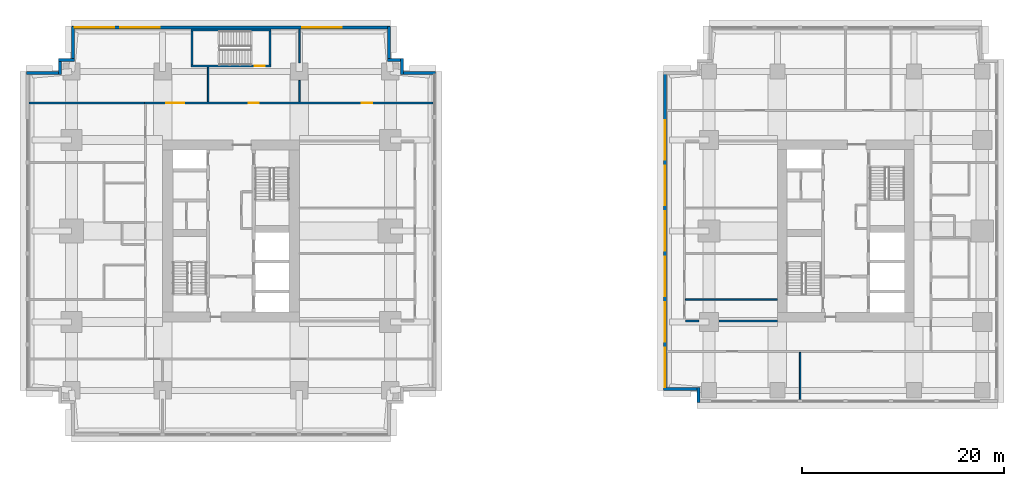
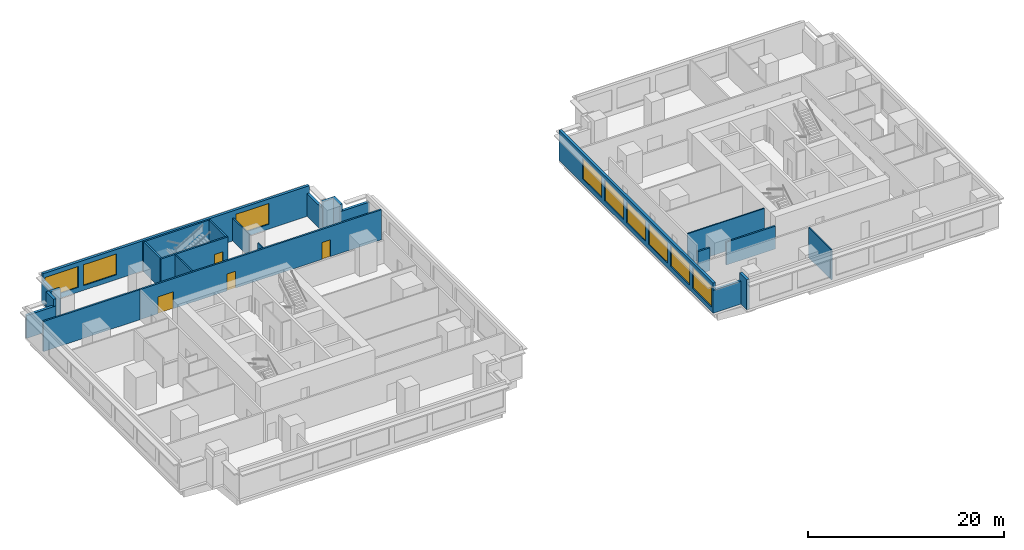
# One storey, part 5 of 10: 25 walls, 9 windows, 4 doors, 13 openings.
"""IFC4 building model written with IfcOpenShell, lengths in metres."""

from ifc_helpers import new_model, si_unit, direction, frame, frame_2d, origin, place, context, subcontext, project, spatial, rectangle, extrude, material, layer, layer_set, type_object, element, fill, save


model = new_model("IFC4")

# Units and contexts
model_context = context("Model", 3, precision=1e-05, world=origin(), true_north=direction((0.0, 1.0)))
body_context = subcontext(model_context, "Body", "Model", "MODEL_VIEW")
ifc_project = project(units=[si_unit("LENGTHUNIT", "METRE"), si_unit("AREAUNIT", "SQUARE_METRE"), si_unit("VOLUMEUNIT", "CUBIC_METRE"), si_unit("PLANEANGLEUNIT", "RADIAN"), si_unit("MASSUNIT", "GRAM", prefix="KILO")], contexts=[model_context])

# Site, building, storey
site_placement = place(None, origin())
site = spatial("IfcSite", under=ifc_project, at=site_placement, CompositionType="ELEMENT")
building_placement = place(site_placement, origin())
building = spatial("IfcBuilding", under=site, at=building_placement, Name="Namib Vertical Campus", CompositionType="ELEMENT")
storey_placement = place(building_placement, frame((0.0, 0.0, 149.0)))
storey = spatial("IfcBuildingStorey", under=building, at=storey_placement, Name="L35", CompositionType="ELEMENT", Elevation=149.0)

# Wall, openings, doors
ifc_material_1 = material(Name="Concrete masonry", Category="masonry")
ifc_layer_1 = layer(ifc_material_1, 0.199951171875)
ifc_layer_set_1 = layer_set([ifc_layer_1], Name="Corridor wall 200")
wall_type_1 = type_object("IfcWallType", Name="Corridor wall 200", PredefinedType="SOLIDWALL", material=ifc_layer_set_1)
wall_1_placement = place(storey_placement, frame((40.199951171875, 32.89990234375, 0.0), z_axis=(0.0, 0.0, 1.0), x_axis=(-1.0, 0.0, 0.0)))
wall_1 = element("IfcWall", 1, at=wall_1_placement, inside=storey, type_object=wall_type_1, Name="Corridor wall A L35 CN", PredefinedType="SOLIDWALL", context=body_context, shape_type="SweptSolid", body=[
    extrude(rectangle(XDim=28.5, YDim=0.199951171875, at=frame_2d((14.25, 0.0))), origin(), (0.0, 0.0, 1.0), 3.75),
])
opening_1_placement = place(wall_1_placement, frame((24.550048828125, 0.0, 0.0)))
opening_1 = element("IfcOpeningElement", 2, at=opening_1_placement, cuts=wall_1, Name="Opening CD2", PredefinedType="OPENING", context=body_context, shape_type="SweptSolid", body=[
    extrude(rectangle(XDim=1.800048828125, YDim=2.10009765625, at=frame_2d((0.89990234375, 1.050048828125))), frame((0.0, 0.10986328125, 0.0), z_axis=(0.0, -1.0, 0.0), x_axis=(1.0, 0.0, 0.0)), (0.0, 0.0, 1.0), 0.219970703125),
])
opening_2_placement = place(wall_1_placement, frame((17.199951171875, 0.0, 0.0)))
opening_2 = element("IfcOpeningElement", 3, at=opening_2_placement, cuts=wall_1, Name="Opening CD1", PredefinedType="OPENING", context=body_context, shape_type="SweptSolid", body=[
    extrude(rectangle(XDim=1.0, YDim=2.10009765625, at=frame_2d((0.5, 1.050048828125))), frame((0.0, 0.10986328125, 0.0), z_axis=(0.0, -1.0, 0.0), x_axis=(1.0, 0.0, 0.0)), (0.0, 0.0, 1.0), 0.219970703125),
])
opening_3_placement = place(wall_1_placement, frame((6.0, 0.0, 0.0)))
opening_3 = element("IfcOpeningElement", 4, at=opening_3_placement, cuts=wall_1, Name="Opening CD1", PredefinedType="OPENING", context=body_context, shape_type="SweptSolid", body=[
    extrude(rectangle(XDim=1.0, YDim=2.10009765625, at=frame_2d((0.5, 1.050048828125))), frame((0.0, 0.10986328125, 0.0), z_axis=(0.0, -1.0, 0.0), x_axis=(1.0, 0.0, 0.0)), (0.0, 0.0, 1.0), 0.219970703125),
])
ifc_material_2 = material(Name="Timber fire door leaf", Category="wood")
door_type_1 = type_object("IfcDoorType", Name="Corridor door 1000x2100 20 min", OperationType="SINGLE_SWING_LEFT", PredefinedType="DOOR", material=ifc_material_2)
door_1_placement = place(opening_2_placement, frame((1.0, 0.0, 0.0), z_axis=(0.0, 0.0, 1.0), x_axis=(-1.0, 0.0, 0.0)))
door_1 = element("IfcDoor", 5, at=door_1_placement, inside=storey, type_object=door_type_1, Name="Door CD1 A35-08", OperationType="SINGLE_SWING_RIGHT", OverallHeight=2.10009765625, OverallWidth=1.0, PredefinedType="DOOR", context=body_context, shape_type="SweptSolid", body=[
    extrude(rectangle(XDim=1.0, YDim=2.10009765625, at=frame_2d((0.5, 1.050048828125))), frame((0.0, 0.02490234375, 0.0), z_axis=(0.0, -1.0, 0.0), x_axis=(1.0, 0.0, 0.0)), (0.0, 0.0, 1.0), 0.050048828125),
])
fill(opening_2, door_1)
door_2_placement = place(opening_3_placement, frame((1.0, 0.0, 0.0), z_axis=(0.0, 0.0, 1.0), x_axis=(-1.0, 0.0, 0.0)))
door_2 = element("IfcDoor", 6, at=door_2_placement, inside=storey, type_object=door_type_1, Name="Door CD1 A35-09", OperationType="SINGLE_SWING_LEFT", OverallHeight=2.10009765625, OverallWidth=1.0, PredefinedType="DOOR", context=body_context, shape_type="SweptSolid", body=[
    extrude(rectangle(XDim=1.0, YDim=2.10009765625, at=frame_2d((0.5, 1.050048828125))), frame((0.0, 0.02490234375, 0.0), z_axis=(0.0, -1.0, 0.0), x_axis=(1.0, 0.0, 0.0)), (0.0, 0.0, 1.0), 0.050048828125),
])
fill(opening_3, door_2)
ifc_material_3 = material(Name="Timber fire door leaf", Category="wood")
door_type_2 = type_object("IfcDoorType", Name="Corridor door double 1800x2100 20 min", OperationType="DOUBLE_DOOR_SINGLE_SWING", PredefinedType="DOOR", material=ifc_material_3)
door_3_placement = place(opening_1_placement, frame((1.800048828125, 0.0, 0.0), z_axis=(0.0, 0.0, 1.0), x_axis=(-1.0, 0.0, 0.0)))
door_3 = element("IfcDoor", 7, at=door_3_placement, inside=storey, type_object=door_type_2, Name="Door CD2 A35-07", OperationType="DOUBLE_DOOR_SINGLE_SWING", OverallHeight=2.10009765625, OverallWidth=1.800048828125, PredefinedType="DOOR", context=body_context, shape_type="SweptSolid", body=[
    extrude(rectangle(XDim=1.800048828125, YDim=2.10009765625, at=frame_2d((0.89990234375, 1.050048828125))), frame((0.0, 0.02490234375, 0.0), z_axis=(0.0, -1.0, 0.0), x_axis=(1.0, 0.0, 0.0)), (0.0, 0.0, 1.0), 0.050048828125),
])
fill(opening_1, door_3)

# Walls
wall_2_placement = place(storey_placement, frame((0.300048828125, 32.89990234375, 0.0), z_axis=(0.0, 0.0, 1.0), x_axis=(1.0, 0.0, 0.0)))
element("IfcWall", 8, at=wall_2_placement, inside=storey, type_object=wall_type_1, Name="Partition A L35 BNW", PredefinedType="SOLIDWALL", context=body_context, shape_type="SweptSolid", body=[
    extrude(rectangle(XDim=11.39990234375, YDim=0.199951171875, at=frame_2d((5.699951171875, 0.0))), origin(), (0.0, 0.0, 1.0), 3.75),
])
wall_3_placement = place(storey_placement, frame((65.14990234375, 11.35009765625, 0.0), z_axis=(0.0, 0.0, 1.0), x_axis=(1.0, 0.0, 0.0)))
element("IfcWall", 9, at=wall_3_placement, inside=storey, type_object=wall_type_1, Name="Corridor wall B L35 GS", PredefinedType="SOLIDWALL", context=body_context, shape_type="SweptSolid", body=[
    extrude(rectangle(XDim=1.380126953125, YDim=0.199951171875, at=frame_2d((0.68994140625, 0.0))), origin(), (0.0, 0.0, 1.0), 2.85009765625),
])
wall_4_placement = place(storey_placement, frame((68.469970703125, 11.35009765625, 0.0), z_axis=(0.0, 0.0, 1.0), x_axis=(1.0, 0.0, 0.0)))
element("IfcWall", 10, at=wall_4_placement, inside=storey, type_object=wall_type_1, Name="Corridor wall B L35 GS", PredefinedType="SOLIDWALL", context=body_context, shape_type="SweptSolid", body=[
    extrude(rectangle(XDim=5.780029296875, YDim=0.199951171875, at=frame_2d((2.89013671875, 0.0))), origin(), (0.0, 0.0, 1.0), 2.85009765625),
])
ifc_material_4 = material(Name="Concrete C40/50", Category="concrete")
ifc_layer_2 = layer(ifc_material_4, 0.300048828125)
ifc_layer_set_2 = layer_set([ifc_layer_2], Name="Concrete C40/50")
wall_type_2 = type_object("IfcWallType", Name="External wall 300 board-marked concrete", PredefinedType="STANDARD", material=ifc_layer_set_2)
wall_5_placement = place(storey_placement, frame((40.47998046875, 35.85009765625, 0.0), z_axis=(0.0, 0.0, 1.0), x_axis=(-1.0, 0.0, 0.0)))
element("IfcWall", 11, at=wall_5_placement, inside=storey, type_object=wall_type_2, Name="External wall L35 F07", PredefinedType="STANDARD", context=body_context, shape_type="SweptSolid", body=[
    extrude(rectangle(XDim=3.4599609375, YDim=0.300048828125, at=frame_2d((1.72998046875, 0.0))), origin(), (0.0, 0.0, 1.0), 2.85009765625),
])
for number, where, z_axis, x_axis, name in (
    (12, (37.14990234375, 35.719970703125, 0.0), (0.0, 0.0, 1.0), (0.0, 1.0, 0.0), "External wall L35 F08"),
    (13, (37.280029296875, 37.14990234375, 0.0), (0.0, 0.0, 1.0), (-1.0, 0.0, 0.0), "External wall L35 F09"),
):
    element("IfcWall", number, at=place(storey_placement, frame(where, z_axis=z_axis, x_axis=x_axis)), inside=storey, type_object=wall_type_2, Name=name, PredefinedType="STANDARD", context=body_context, shape_type="SweptSolid", body=[
        extrude(rectangle(XDim=1.56005859375, YDim=0.300048828125, at=frame_2d((0.780029296875, 0.0))), origin(), (0.0, 0.0, 1.0), 3.75),
    ])
wall_6_placement = place(storey_placement, frame((35.85009765625, 37.02001953125, 0.0), z_axis=(0.0, 0.0, 1.0), x_axis=(0.0, 1.0, 0.0)))
element("IfcWall", 14, at=wall_6_placement, inside=storey, type_object=wall_type_2, Name="External wall L35 F10", PredefinedType="STANDARD", context=body_context, shape_type="SweptSolid", body=[
    extrude(rectangle(XDim=3.4599609375, YDim=0.300048828125, at=frame_2d((1.72998046875, 0.0))), origin(), (0.0, 0.0, 1.0), 2.85009765625),
])

# Wall, openings, windows
wall_7_placement = place(storey_placement, frame((35.97998046875, 40.35009765625, 0.0), z_axis=(0.0, 0.0, 1.0), x_axis=(-1.0, 0.0, 0.0)))
wall_7 = element("IfcWall", 15, at=wall_7_placement, inside=storey, type_object=wall_type_2, Name="External wall L35 F11", PredefinedType="STANDARD", context=body_context, shape_type="SweptSolid", body=[
    extrude(rectangle(XDim=31.4599609375, YDim=0.300048828125, at=frame_2d((15.72998046875, 0.0))), origin(), (0.0, 0.0, 1.0), 3.75),
])
opening_4_placement = place(wall_7_placement, frame((27.280029296875, 0.0, 0.60009765625)))
opening_4 = element("IfcOpeningElement", 16, at=opening_4_placement, cuts=wall_7, Name="Opening W2", PredefinedType="OPENING", context=body_context, shape_type="SweptSolid", body=[
    extrude(rectangle(XDim=3.89990234375, YDim=2.60009765625, at=frame_2d((1.949951171875, 1.300048828125))), frame((0.0, 0.159912109375, 0.0), z_axis=(0.0, -1.0, 0.0), x_axis=(1.0, 0.0, 0.0)), (0.0, 0.0, 1.0), 0.320068359375),
])
opening_5_placement = place(wall_7_placement, frame((22.780029296875, 0.0, 0.60009765625)))
opening_5 = element("IfcOpeningElement", 17, at=opening_5_placement, cuts=wall_7, Name="Opening W2", PredefinedType="OPENING", context=body_context, shape_type="SweptSolid", body=[
    extrude(rectangle(XDim=3.89990234375, YDim=2.60009765625, at=frame_2d((1.949951171875, 1.300048828125))), frame((0.0, 0.159912109375, 0.0), z_axis=(0.0, -1.0, 0.0), x_axis=(1.0, 0.0, 0.0)), (0.0, 0.0, 1.0), 0.320068359375),
])
opening_6_placement = place(wall_7_placement, frame((4.780029296875, 0.0, 0.60009765625)))
opening_6 = element("IfcOpeningElement", 18, at=opening_6_placement, cuts=wall_7, Name="Opening W2", PredefinedType="OPENING", context=body_context, shape_type="SweptSolid", body=[
    extrude(rectangle(XDim=3.89990234375, YDim=2.60009765625, at=frame_2d((1.949951171875, 1.300048828125))), frame((0.0, 0.159912109375, 0.0), z_axis=(0.0, -1.0, 0.0), x_axis=(1.0, 0.0, 0.0)), (0.0, 0.0, 1.0), 0.320068359375),
])
ifc_material_5 = material(Name="Dark tinted glass in black aluminium frame", Category="aluminium")
window_type = type_object("IfcWindowType", Name="Ribbon window 3900x2600", PartitioningType="SINGLE_PANEL", PredefinedType="WINDOW", material=ifc_material_5)
window_1_placement = place(opening_4_placement, origin())
window_1 = element("IfcWindow", 19, at=window_1_placement, inside=storey, type_object=window_type, Name="Window W2 L35 F11-1", OverallHeight=2.60009765625, OverallWidth=3.89990234375, PartitioningType="SINGLE_PANEL", PredefinedType="WINDOW", context=body_context, shape_type="SweptSolid", body=[
    extrude(rectangle(XDim=3.89990234375, YDim=2.60009765625, at=frame_2d((1.949951171875, 1.300048828125))), frame((0.0, 0.030029296875, 0.0), z_axis=(0.0, -1.0, 0.0), x_axis=(1.0, 0.0, 0.0)), (0.0, 0.0, 1.0), 0.06005859375),
])
fill(opening_4, window_1)
window_2_placement = place(opening_5_placement, origin())
window_2 = element("IfcWindow", 20, at=window_2_placement, inside=storey, type_object=window_type, Name="Window W2 L35 F11-2", OverallHeight=2.60009765625, OverallWidth=3.89990234375, PartitioningType="SINGLE_PANEL", PredefinedType="WINDOW", context=body_context, shape_type="SweptSolid", body=[
    extrude(rectangle(XDim=3.89990234375, YDim=2.60009765625, at=frame_2d((1.949951171875, 1.300048828125))), frame((0.0, 0.030029296875, 0.0), z_axis=(0.0, -1.0, 0.0), x_axis=(1.0, 0.0, 0.0)), (0.0, 0.0, 1.0), 0.06005859375),
])
fill(opening_5, window_2)
window_3_placement = place(opening_6_placement, origin())
window_3 = element("IfcWindow", 21, at=window_3_placement, inside=storey, type_object=window_type, Name="Window W2 L35 F11-6", OverallHeight=2.60009765625, OverallWidth=3.89990234375, PartitioningType="SINGLE_PANEL", PredefinedType="WINDOW", context=body_context, shape_type="SweptSolid", body=[
    extrude(rectangle(XDim=3.89990234375, YDim=2.60009765625, at=frame_2d((1.949951171875, 1.300048828125))), frame((0.0, 0.030029296875, 0.0), z_axis=(0.0, -1.0, 0.0), x_axis=(1.0, 0.0, 0.0)), (0.0, 0.0, 1.0), 0.06005859375),
])
fill(opening_6, window_3)

# Walls
wall_8_placement = place(storey_placement, frame((4.64990234375, 40.47998046875, 0.0), z_axis=(0.0, 0.0, 1.0), x_axis=(0.0, -1.0, 0.0)))
element("IfcWall", 22, at=wall_8_placement, inside=storey, type_object=wall_type_2, Name="External wall L35 F12", PredefinedType="STANDARD", context=body_context, shape_type="SweptSolid", body=[
    extrude(rectangle(XDim=3.4599609375, YDim=0.300048828125, at=frame_2d((1.72998046875, 0.0))), origin(), (0.0, 0.0, 1.0), 2.85009765625),
])
for number, where, z_axis, x_axis, name in (
    (23, (4.780029296875, 37.14990234375, 0.0), (0.0, 0.0, 1.0), (-1.0, 0.0, 0.0), "External wall L35 F13"),
    (24, (3.35009765625, 37.280029296875, 0.0), (0.0, 0.0, 1.0), (0.0, -1.0, 0.0), "External wall L35 F14"),
):
    element("IfcWall", number, at=place(storey_placement, frame(where, z_axis=z_axis, x_axis=x_axis)), inside=storey, type_object=wall_type_2, Name=name, PredefinedType="STANDARD", context=body_context, shape_type="SweptSolid", body=[
        extrude(rectangle(XDim=1.56005859375, YDim=0.300048828125, at=frame_2d((0.780029296875, 0.0))), origin(), (0.0, 0.0, 1.0), 3.75),
    ])
wall_9_placement = place(storey_placement, frame((3.47998046875, 35.85009765625, 0.0), z_axis=(0.0, 0.0, 1.0), x_axis=(-1.0, 0.0, 0.0)))
element("IfcWall", 25, at=wall_9_placement, inside=storey, type_object=wall_type_2, Name="External wall L35 F15", PredefinedType="STANDARD", context=body_context, shape_type="SweptSolid", body=[
    extrude(rectangle(XDim=3.4599609375, YDim=0.300048828125, at=frame_2d((1.72998046875, 0.0))), origin(), (0.0, 0.0, 1.0), 2.85009765625),
])
wall_10_placement = place(storey_placement, frame((63.02001953125, 4.64990234375, 0.0), z_axis=(0.0, 0.0, 1.0), x_axis=(1.0, 0.0, 0.0)))
element("IfcWall", 26, at=wall_10_placement, inside=storey, type_object=wall_type_2, Name="External wall L35 F01", PredefinedType="STANDARD", context=body_context, shape_type="SweptSolid", body=[
    extrude(rectangle(XDim=3.56005859375, YDim=0.300048828125, at=frame_2d((1.780029296875, 0.0))), origin(), (0.0, 0.0, 1.0), 2.85009765625),
])
wall_11_placement = place(storey_placement, frame((66.449951171875, 4.780029296875, 0.0), z_axis=(0.0, 0.0, 1.0), x_axis=(0.0, -1.0, 0.0)))
element("IfcWall", 27, at=wall_11_placement, inside=storey, type_object=wall_type_2, Name="External wall L35 F02", PredefinedType="STANDARD", context=body_context, shape_type="SweptSolid", body=[
    extrude(rectangle(XDim=1.4599609375, YDim=0.300048828125, at=frame_2d((0.72998046875, 0.0))), origin(), (0.0, 0.0, 1.0), 3.75),
])

# Wall, openings, windows
wall_12_placement = place(storey_placement, frame((63.14990234375, 35.97998046875, 0.0), z_axis=(0.0, 0.0, 1.0), x_axis=(0.0, -1.0, 0.0)))
wall_12 = element("IfcWall", 28, at=wall_12_placement, inside=storey, type_object=wall_type_2, Name="External wall L35 F12", PredefinedType="STANDARD", context=body_context, shape_type="SweptSolid", body=[
    extrude(rectangle(XDim=31.4599609375, YDim=0.300048828125, at=frame_2d((15.72998046875, 0.0))), origin(), (0.0, 0.0, 1.0), 3.75),
])
opening_7_placement = place(wall_12_placement, frame((27.280029296875, 0.0, 0.60009765625)))
opening_7 = element("IfcOpeningElement", 29, at=opening_7_placement, cuts=wall_12, Name="Opening W2", PredefinedType="OPENING", context=body_context, shape_type="SweptSolid", body=[
    extrude(rectangle(XDim=3.89990234375, YDim=2.60009765625, at=frame_2d((1.949951171875, 1.300048828125))), frame((0.0, 0.159912109375, 0.0), z_axis=(0.0, -1.0, 0.0), x_axis=(1.0, 0.0, 0.0)), (0.0, 0.0, 1.0), 0.320068359375),
])
opening_8_placement = place(wall_12_placement, frame((22.780029296875, 0.0, 0.60009765625)))
opening_8 = element("IfcOpeningElement", 30, at=opening_8_placement, cuts=wall_12, Name="Opening W2", PredefinedType="OPENING", context=body_context, shape_type="SweptSolid", body=[
    extrude(rectangle(XDim=3.89990234375, YDim=2.60009765625, at=frame_2d((1.949951171875, 1.300048828125))), frame((0.0, 0.159912109375, 0.0), z_axis=(0.0, -1.0, 0.0), x_axis=(1.0, 0.0, 0.0)), (0.0, 0.0, 1.0), 0.320068359375),
])
opening_9_placement = place(wall_12_placement, frame((18.280029296875, 0.0, 0.60009765625)))
opening_9 = element("IfcOpeningElement", 31, at=opening_9_placement, cuts=wall_12, Name="Opening W2", PredefinedType="OPENING", context=body_context, shape_type="SweptSolid", body=[
    extrude(rectangle(XDim=3.89990234375, YDim=2.60009765625, at=frame_2d((1.949951171875, 1.300048828125))), frame((0.0, 0.159912109375, 0.0), z_axis=(0.0, -1.0, 0.0), x_axis=(1.0, 0.0, 0.0)), (0.0, 0.0, 1.0), 0.320068359375),
])
opening_10_placement = place(wall_12_placement, frame((13.780029296875, 0.0, 0.60009765625)))
opening_10 = element("IfcOpeningElement", 32, at=opening_10_placement, cuts=wall_12, Name="Opening W2", PredefinedType="OPENING", context=body_context, shape_type="SweptSolid", body=[
    extrude(rectangle(XDim=3.89990234375, YDim=2.60009765625, at=frame_2d((1.949951171875, 1.300048828125))), frame((0.0, 0.159912109375, 0.0), z_axis=(0.0, -1.0, 0.0), x_axis=(1.0, 0.0, 0.0)), (0.0, 0.0, 1.0), 0.320068359375),
])
opening_11_placement = place(wall_12_placement, frame((9.280029296875, 0.0, 0.60009765625)))
opening_11 = element("IfcOpeningElement", 33, at=opening_11_placement, cuts=wall_12, Name="Opening W2", PredefinedType="OPENING", context=body_context, shape_type="SweptSolid", body=[
    extrude(rectangle(XDim=3.89990234375, YDim=2.60009765625, at=frame_2d((1.949951171875, 1.300048828125))), frame((0.0, 0.159912109375, 0.0), z_axis=(0.0, -1.0, 0.0), x_axis=(1.0, 0.0, 0.0)), (0.0, 0.0, 1.0), 0.320068359375),
])
opening_12_placement = place(wall_12_placement, frame((4.780029296875, 0.0, 0.60009765625)))
opening_12 = element("IfcOpeningElement", 34, at=opening_12_placement, cuts=wall_12, Name="Opening W2", PredefinedType="OPENING", context=body_context, shape_type="SweptSolid", body=[
    extrude(rectangle(XDim=3.89990234375, YDim=2.60009765625, at=frame_2d((1.949951171875, 1.300048828125))), frame((0.0, 0.159912109375, 0.0), z_axis=(0.0, -1.0, 0.0), x_axis=(1.0, 0.0, 0.0)), (0.0, 0.0, 1.0), 0.320068359375),
])
window_4_placement = place(opening_7_placement, origin())
window_4 = element("IfcWindow", 35, at=window_4_placement, inside=storey, type_object=window_type, Name="Window W2 L35 F12-1", OverallHeight=2.60009765625, OverallWidth=3.89990234375, PartitioningType="SINGLE_PANEL", PredefinedType="WINDOW", context=body_context, shape_type="SweptSolid", body=[
    extrude(rectangle(XDim=3.89990234375, YDim=2.60009765625, at=frame_2d((1.949951171875, 1.300048828125))), frame((0.0, 0.030029296875, 0.0), z_axis=(0.0, -1.0, 0.0), x_axis=(1.0, 0.0, 0.0)), (0.0, 0.0, 1.0), 0.06005859375),
])
fill(opening_7, window_4)
window_5_placement = place(opening_8_placement, origin())
window_5 = element("IfcWindow", 36, at=window_5_placement, inside=storey, type_object=window_type, Name="Window W2 L35 F12-2", OverallHeight=2.60009765625, OverallWidth=3.89990234375, PartitioningType="SINGLE_PANEL", PredefinedType="WINDOW", context=body_context, shape_type="SweptSolid", body=[
    extrude(rectangle(XDim=3.89990234375, YDim=2.60009765625, at=frame_2d((1.949951171875, 1.300048828125))), frame((0.0, 0.030029296875, 0.0), z_axis=(0.0, -1.0, 0.0), x_axis=(1.0, 0.0, 0.0)), (0.0, 0.0, 1.0), 0.06005859375),
])
fill(opening_8, window_5)
window_6_placement = place(opening_9_placement, origin())
window_6 = element("IfcWindow", 37, at=window_6_placement, inside=storey, type_object=window_type, Name="Window W2 L35 F12-3", OverallHeight=2.60009765625, OverallWidth=3.89990234375, PartitioningType="SINGLE_PANEL", PredefinedType="WINDOW", context=body_context, shape_type="SweptSolid", body=[
    extrude(rectangle(XDim=3.89990234375, YDim=2.60009765625, at=frame_2d((1.949951171875, 1.300048828125))), frame((0.0, 0.030029296875, 0.0), z_axis=(0.0, -1.0, 0.0), x_axis=(1.0, 0.0, 0.0)), (0.0, 0.0, 1.0), 0.06005859375),
])
fill(opening_9, window_6)
window_7_placement = place(opening_10_placement, origin())
window_7 = element("IfcWindow", 38, at=window_7_placement, inside=storey, type_object=window_type, Name="Window W2 L35 F12-4", OverallHeight=2.60009765625, OverallWidth=3.89990234375, PartitioningType="SINGLE_PANEL", PredefinedType="WINDOW", context=body_context, shape_type="SweptSolid", body=[
    extrude(rectangle(XDim=3.89990234375, YDim=2.60009765625, at=frame_2d((1.949951171875, 1.300048828125))), frame((0.0, 0.030029296875, 0.0), z_axis=(0.0, -1.0, 0.0), x_axis=(1.0, 0.0, 0.0)), (0.0, 0.0, 1.0), 0.06005859375),
])
fill(opening_10, window_7)
window_8_placement = place(opening_11_placement, origin())
window_8 = element("IfcWindow", 39, at=window_8_placement, inside=storey, type_object=window_type, Name="Window W2 L35 F12-5", OverallHeight=2.60009765625, OverallWidth=3.89990234375, PartitioningType="SINGLE_PANEL", PredefinedType="WINDOW", context=body_context, shape_type="SweptSolid", body=[
    extrude(rectangle(XDim=3.89990234375, YDim=2.60009765625, at=frame_2d((1.949951171875, 1.300048828125))), frame((0.0, 0.030029296875, 0.0), z_axis=(0.0, -1.0, 0.0), x_axis=(1.0, 0.0, 0.0)), (0.0, 0.0, 1.0), 0.06005859375),
])
fill(opening_11, window_8)
window_9_placement = place(opening_12_placement, origin())
window_9 = element("IfcWindow", 40, at=window_9_placement, inside=storey, type_object=window_type, Name="Window W2 L35 F12-6", OverallHeight=2.60009765625, OverallWidth=3.89990234375, PartitioningType="SINGLE_PANEL", PredefinedType="WINDOW", context=body_context, shape_type="SweptSolid", body=[
    extrude(rectangle(XDim=3.89990234375, YDim=2.60009765625, at=frame_2d((1.949951171875, 1.300048828125))), frame((0.0, 0.030029296875, 0.0), z_axis=(0.0, -1.0, 0.0), x_axis=(1.0, 0.0, 0.0)), (0.0, 0.0, 1.0), 0.06005859375),
])
fill(opening_12, window_9)

# Walls
ifc_material_6 = material(Name="Gypsum board on steel studs", Category="steel")
ifc_layer_3 = layer(ifc_material_6, 0.14990234375)
ifc_layer_set_3 = layer_set([ifc_layer_3], Name="Gypsum board on steel studs")
wall_type_3 = type_object("IfcWallType", Name="Partition 150", PredefinedType="PARTITIONING", material=ifc_layer_set_3)
wall_13_placement = place(storey_placement, frame((18.0, 33.0, 0.0), z_axis=(0.0, 0.0, 1.0), x_axis=(0.0, 1.0, 0.0)))
element("IfcWall", 41, at=wall_13_placement, inside=storey, type_object=wall_type_3, Name="Partition A L35 PN1", PredefinedType="PARTITIONING", context=body_context, shape_type="SweptSolid", body=[
    extrude(rectangle(XDim=3.449951171875, YDim=0.14990234375, at=frame_2d((1.72509765625, 0.0))), origin(), (0.0, 0.0, 1.0), 3.75),
])
wall_14_placement = place(storey_placement, frame((27.0, 33.0, 0.0), z_axis=(0.0, 0.0, 1.0), x_axis=(0.0, 1.0, 0.0)))
element("IfcWall", 42, at=wall_14_placement, inside=storey, type_object=wall_type_3, Name="Partition A L35 PN2", PredefinedType="PARTITIONING", context=body_context, shape_type="SweptSolid", body=[
    extrude(rectangle(XDim=2.1298828125, YDim=0.14990234375, at=frame_2d((1.06494140625, 0.0))), origin(), (0.0, 0.0, 1.0), 2.85009765625),
])
wall_15_placement = place(storey_placement, frame((27.0, 36.8701171875, 0.0), z_axis=(0.0, 0.0, 1.0), x_axis=(0.0, 1.0, 0.0)))
element("IfcWall", 43, at=wall_15_placement, inside=storey, type_object=wall_type_3, Name="Partition A L35 PN2", PredefinedType="PARTITIONING", context=body_context, shape_type="SweptSolid", body=[
    extrude(rectangle(XDim=3.329833984375, YDim=0.14990234375, at=frame_2d((1.6650390625, 0.0))), origin(), (0.0, 0.0, 1.0), 2.85009765625),
])
wall_16_placement = place(storey_placement, frame((76.5, 3.60009765625, 0.0), z_axis=(0.0, 0.0, 1.0), x_axis=(0.0, 1.0, 0.0)))
element("IfcWall", 44, at=wall_16_placement, inside=storey, type_object=wall_type_3, Name="Partition B L35 PS1", PredefinedType="PARTITIONING", context=body_context, shape_type="SweptSolid", body=[
    extrude(rectangle(XDim=4.64990234375, YDim=0.14990234375, at=frame_2d((2.324951171875, 0.0))), origin(), (0.0, 0.0, 1.0), 3.75),
])
wall_17_placement = place(storey_placement, frame((65.14990234375, 13.5, 0.0), z_axis=(0.0, 0.0, 1.0), x_axis=(1.0, 0.0, 0.0)))
element("IfcWall", 45, at=wall_17_placement, inside=storey, type_object=wall_type_3, Name="Partition B L35 PW1", PredefinedType="PARTITIONING", context=body_context, shape_type="SweptSolid", body=[
    extrude(rectangle(XDim=9.10009765625, YDim=0.14990234375, at=frame_2d((4.550048828125, 0.0))), origin(), (0.0, 0.0, 1.0), 3.75),
])

# Wall, opening, door
ifc_material_7 = material(Name="Concrete C40/50", Category="concrete")
ifc_layer_4 = layer(ifc_material_7, 0.199951171875)
ifc_layer_set_4 = layer_set([ifc_layer_4], Name="Concrete C40/50")
wall_type_4 = type_object("IfcWallType", Name="Stair enclosure wall RC 200", PredefinedType="SOLIDWALL", material=ifc_layer_set_4)
wall_18_placement = place(storey_placement, frame((16.300048828125, 36.550048828125, 0.0), z_axis=(0.0, 0.0, 1.0), x_axis=(1.0, 0.0, 0.0)))
wall_18 = element("IfcWall", 46, at=wall_18_placement, inside=storey, type_object=wall_type_4, Name="Stair enclosure wall A-S3 L35 S", PredefinedType="SOLIDWALL", context=body_context, shape_type="SweptSolid", body=[
    extrude(rectangle(XDim=7.89990234375, YDim=0.199951171875, at=frame_2d((3.949951171875, 0.0))), origin(), (0.0, 0.0, 1.0), 3.75),
])
opening_13_placement = place(wall_18_placement, frame((6.300048828125, 0.0, 0.0)))
opening_13 = element("IfcOpeningElement", 47, at=opening_13_placement, cuts=wall_18, Name="Opening FD1", PredefinedType="OPENING", context=body_context, shape_type="SweptSolid", body=[
    extrude(rectangle(XDim=1.0, YDim=2.10009765625, at=frame_2d((0.5, 1.050048828125))), frame((0.0, 0.10986328125, 0.0), z_axis=(0.0, -1.0, 0.0), x_axis=(1.0, 0.0, 0.0)), (0.0, 0.0, 1.0), 0.219970703125),
])
ifc_material_8 = material(Name="Steel fire door", Category="steel")
door_type_3 = type_object("IfcDoorType", Name="Fire door 1000x2100", OperationType="SINGLE_SWING_RIGHT", PredefinedType="DOOR", material=ifc_material_8)
door_4_placement = place(opening_13_placement, origin())
door_4 = element("IfcDoor", 48, at=door_4_placement, inside=storey, type_object=door_type_3, Name="Stair door FD1 A L35 S3", OperationType="SINGLE_SWING_RIGHT", OverallHeight=2.10009765625, OverallWidth=1.0, PredefinedType="DOOR", context=body_context, shape_type="SweptSolid", body=[
    extrude(rectangle(XDim=1.0, YDim=2.10009765625, at=frame_2d((0.5, 1.050048828125))), frame((0.0, 0.02490234375, 0.0), z_axis=(0.0, -1.0, 0.0), x_axis=(1.0, 0.0, 0.0)), (0.0, 0.0, 1.0), 0.050048828125),
])
fill(opening_13, door_4)

# Walls
wall_19_placement = place(storey_placement, frame((16.300048828125, 40.10009765625, 0.0), z_axis=(0.0, 0.0, 1.0), x_axis=(1.0, 0.0, 0.0)))
element("IfcWall", 49, at=wall_19_placement, inside=storey, type_object=wall_type_4, Name="Stair enclosure wall A-S3 L35 N", PredefinedType="SOLIDWALL", context=body_context, shape_type="SweptSolid", body=[
    extrude(rectangle(XDim=7.89990234375, YDim=0.199951171875, at=frame_2d((3.949951171875, 0.0))), origin(), (0.0, 0.0, 1.0), 3.75),
])
for number, where, z_axis, x_axis, name in (
    (50, (16.39990234375, 36.64990234375, 0.0), (0.0, 0.0, 1.0), (0.0, 1.0, 0.0), "Stair enclosure wall A-S3 L35 W"),
    (51, (24.10009765625, 36.64990234375, 0.0), (0.0, 0.0, 1.0), (0.0, 1.0, 0.0), "Stair enclosure wall A-S3 L35 E"),
):
    element("IfcWall", number, at=place(storey_placement, frame(where, z_axis=z_axis, x_axis=x_axis)), inside=storey, type_object=wall_type_4, Name=name, PredefinedType="SOLIDWALL", context=body_context, shape_type="SweptSolid", body=[
        extrude(rectangle(XDim=3.35009765625, YDim=0.199951171875, at=frame_2d((1.675048828125, 0.0))), origin(), (0.0, 0.0, 1.0), 3.75),
    ])

save(model, "model.ifc")
